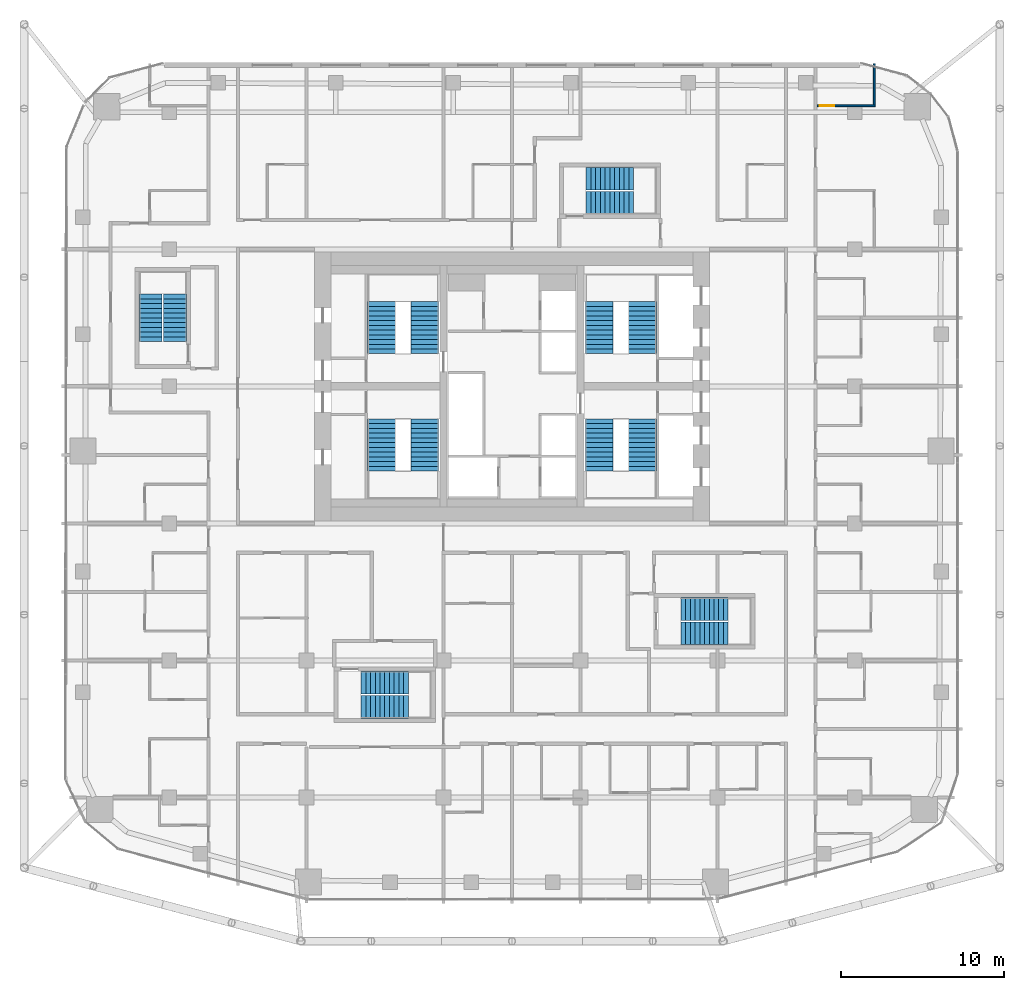
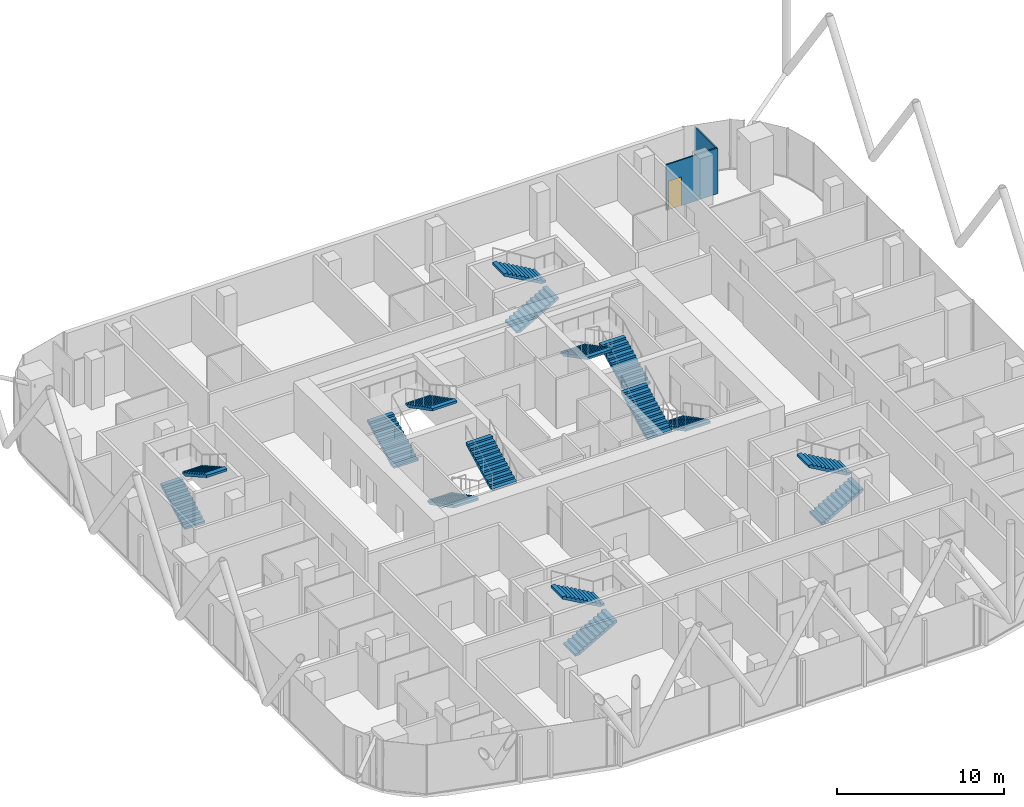
# One storey, part 31 of 33: 16 stair flights, 2 walls, 1 door, 1 opening, 8 elements without a shape of their own.
"""IFC4 building model written with IfcOpenShell, lengths in metres."""

from ifc_helpers import new_model, si_unit, direction, frame, frame_2d, origin, place, context, subcontext, project, spatial, polyline, rectangle, outline, extrude, material, layer, layer_set, type_object, element, fill, aggregate, save


model = new_model("IFC4")

# Units and contexts
model_context = context("Model", 3, precision=1e-05, world=origin(), true_north=direction((0.0, 1.0)))
body_context = subcontext(model_context, "Body", "Model", "MODEL_VIEW")
ifc_project = project(units=[si_unit("LENGTHUNIT", "METRE"), si_unit("AREAUNIT", "SQUARE_METRE"), si_unit("VOLUMEUNIT", "CUBIC_METRE"), si_unit("PLANEANGLEUNIT", "RADIAN"), si_unit("MASSUNIT", "GRAM", prefix="KILO")], contexts=[model_context])

# Site, building, storey
site_placement = place(None, origin())
site = spatial("IfcSite", under=ifc_project, at=site_placement, CompositionType="ELEMENT")
building_placement = place(site_placement, origin())
building = spatial("IfcBuilding", under=site, at=building_placement, Name="Marenta Gate Hotel Tower", CompositionType="ELEMENT")
storey_placement = place(building_placement, frame((0.0, 0.0, 137.300048828125)))
storey = spatial("IfcBuildingStorey", under=building, at=storey_placement, Name="L31", CompositionType="ELEMENT", Elevation=137.300048828125)

# Wall
ifc_material_1 = material(Name="Gypsum board on steel stud", Category="steel")
ifc_layer = layer(ifc_material_1, 0.10009765625)
ifc_layer_set = layer_set([ifc_layer], Name="Gypsum board on steel stud")
wall_type = type_object("IfcWallType", Name="Room partition 100", PredefinedType="PARTITIONING", material=ifc_layer_set)
wall_1_placement = place(storey_placement, frame((22.199951171875, 25.64990234375, 0.0), z_axis=(0.0, 0.0, 1.0), x_axis=(0.0, 1.0, 0.0)))
element("IfcWall", 1, at=wall_1_placement, inside=storey, type_object=wall_type, Name="L31-PTN-W002", PredefinedType="PARTITIONING", context=body_context, shape_type="SweptSolid", body=[
    extrude(rectangle(XDim=2.531982421875, YDim=0.10009765625, at=frame_2d((1.26611328125, 0.0))), origin(), (0.0, 0.0, 1.0), 3.33984375),
])

# Wall, opening, door
wall_2_placement = place(storey_placement, frame((18.699951171875, 25.60009765625, 0.0), z_axis=(0.0, 0.0, 1.0), x_axis=(1.0, 0.0, 0.0)))
wall_2 = element("IfcWall", 2, at=wall_2_placement, inside=storey, type_object=wall_type, Name="L31-PTN-W130", PredefinedType="PARTITIONING", context=body_context, shape_type="SweptSolid", body=[
    extrude(rectangle(XDim=3.550048828125, YDim=0.10009765625, at=frame_2d((1.77490234375, 0.0))), origin(), (0.0, 0.0, 1.0), 3.33984375),
])
opening_placement = place(wall_2_placement, frame((0.14990234375, 0.0, 0.0)))
opening = element("IfcOpeningElement", 3, at=opening_placement, cuts=wall_2, Name="Opening G12-28", PredefinedType="OPENING", context=body_context, shape_type="SweptSolid", body=[
    extrude(rectangle(XDim=0.89990234375, YDim=2.10009765625, at=frame_2d((0.449951171875, 1.050048828125))), frame((0.0, 0.050048828125, 0.0), z_axis=(0.0, -1.0, 0.0), x_axis=(1.0, 0.0, 0.0)), (0.0, 0.0, 1.0), 0.10009765625),
])
ifc_material_2 = material(Name="Timber door leaf", Category="wood")
door_type = type_object("IfcDoorType", Name="Room inner door 900x2100", OperationType="NOTDEFINED", PredefinedType="DOOR", material=ifc_material_2)
door_placement = place(opening_placement, origin())
door = element("IfcDoor", 4, at=door_placement, inside=storey, type_object=door_type, Name="L31-PD-D028", OperationType="SINGLE_SWING_LEFT", OverallHeight=2.10009765625, OverallWidth=0.89990234375, PredefinedType="DOOR", context=body_context, shape_type="SweptSolid", body=[
    extrude(rectangle(XDim=0.89990234375, YDim=2.10009765625, at=frame_2d((0.449951171875, 1.050048828125))), frame((0.0, 0.02490234375, 0.0), z_axis=(0.0, -1.0, 0.0), x_axis=(1.0, 0.0, 0.0)), (0.0, 0.0, 1.0), 0.050048828125),
])
fill(opening, door)

# Stair, stair flights
ifc_material_3 = material(Name="Concrete C40", Category="concrete")
stair_type_1 = type_object("IfcStairType", Name="Core exit stair 1700 wide", PredefinedType="HALF_TURN_STAIR", material=ifc_material_3)
stair_1_placement = place(storey_placement, origin())
stair_1 = element("IfcStair", 5, at=stair_1_placement, inside=storey, type_object=stair_type_1, Name="Exit stair 1", PredefinedType="HALF_TURN_STAIR")
ifc_material_4 = material(Name="Concrete C40", Category="concrete")
stair_flight_type_1 = type_object("IfcStairFlightType", Name="Core stair flight 1700 riser 150.0 going 290", PredefinedType="STRAIGHT", material=ifc_material_4)
stair_flight_1_placement = place(storey_placement, frame((-8.0, 6.39990234375, 0.0), z_axis=(0.0, 0.0, 1.0), x_axis=(0.0, -1.0, 0.0)))
stair_flight_1 = element("IfcStairFlight", 6, at=stair_flight_1_placement, type_object=stair_flight_type_1, Name="ST1 flight 1", NumberOfRisers=12, NumberOfTreads=11, PredefinedType="STRAIGHT", RiserHeight=0.15, TreadLength=0.29, context=body_context, shape_type="SweptSolid", body=[
    extrude(outline(polyline([(0.0, 0.0), (0.0, 0.14990234375), (0.2900390625, 0.14990234375), (0.2900390625, 0.300048828125), (0.580078125, 0.300048828125), (0.580078125, 0.449951171875), (0.8701171875, 0.449951171875), (0.8701171875, 0.60009765625), (1.159912109375, 0.60009765625), (1.159912109375, 0.75), (1.449951171875, 0.75), (1.449951171875, 0.89990234375), (1.739990234375, 0.89990234375), (1.739990234375, 1.050048828125), (2.030029296875, 1.050048828125), (2.030029296875, 1.199951171875), (2.320068359375, 1.199951171875), (2.320068359375, 1.35009765625), (2.610107421875, 1.35009765625), (2.610107421875, 1.5), (2.89990234375, 1.5), (2.89990234375, 1.64990234375), (3.18994140625, 1.64990234375), (3.18994140625, 1.800048828125), (3.18994140625, 1.481201171875), (0.326171875, 0.0), (0.0, 0.0)])), frame((0.0, 0.85009765625, 0.0), z_axis=(0.0, -1.0, 0.0), x_axis=(1.0, 0.0, 0.0)), (0.0, 0.0, 1.0), 1.699951171875),
])
stair_flight_2_placement = place(storey_placement, frame((-5.35009765625, 3.2099609375, 1.800048828125), z_axis=(0.0, 0.0, 1.0), x_axis=(0.0, 1.0, 0.0)))
stair_flight_2 = element("IfcStairFlight", 7, at=stair_flight_2_placement, type_object=stair_flight_type_1, Name="ST1 flight 2", NumberOfRisers=12, NumberOfTreads=11, PredefinedType="STRAIGHT", RiserHeight=0.15, TreadLength=0.29, context=body_context, shape_type="SweptSolid", body=[
    extrude(outline(polyline([(0.0, 0.0), (0.0, 0.14990234375), (0.2900390625, 0.14990234375), (0.2900390625, 0.300048828125), (0.580078125, 0.300048828125), (0.580078125, 0.449951171875), (0.8701171875, 0.449951171875), (0.8701171875, 0.60009765625), (1.159912109375, 0.60009765625), (1.159912109375, 0.75), (1.449951171875, 0.75), (1.449951171875, 0.89990234375), (1.739990234375, 0.89990234375), (1.739990234375, 1.050048828125), (2.030029296875, 1.050048828125), (2.030029296875, 1.199951171875), (2.320068359375, 1.199951171875), (2.320068359375, 1.35009765625), (2.610107421875, 1.35009765625), (2.610107421875, 1.5), (2.89990234375, 1.5), (2.89990234375, 1.64990234375), (3.18994140625, 1.64990234375), (3.18994140625, 1.800048828125), (3.18994140625, 1.481201171875), (0.326171875, 0.0), (0.0, 0.0)])), frame((0.0, 0.85009765625, 0.0), z_axis=(0.0, -1.0, 0.0), x_axis=(1.0, 0.0, 0.0)), (0.0, 0.0, 1.0), 1.699951171875),
])
aggregate(stair_1, [stair_flight_1, stair_flight_2])

stair_2_placement = place(storey_placement, origin())
stair_2 = element("IfcStair", 8, at=stair_2_placement, inside=storey, type_object=stair_type_1, Name="Exit stair 2", PredefinedType="HALF_TURN_STAIR")
stair_flight_3_placement = place(storey_placement, frame((-8.0, 10.39990234375, 0.0), z_axis=(0.0, 0.0, 1.0), x_axis=(0.0, 1.0, 0.0)))
stair_flight_3 = element("IfcStairFlight", 9, at=stair_flight_3_placement, type_object=stair_flight_type_1, Name="ST2 flight 1", NumberOfRisers=12, NumberOfTreads=11, PredefinedType="STRAIGHT", RiserHeight=0.15, TreadLength=0.29, context=body_context, shape_type="SweptSolid", body=[
    extrude(outline(polyline([(0.0, 0.0), (0.0, 0.14990234375), (0.2900390625, 0.14990234375), (0.2900390625, 0.300048828125), (0.580078125, 0.300048828125), (0.580078125, 0.449951171875), (0.8701171875, 0.449951171875), (0.8701171875, 0.60009765625), (1.159912109375, 0.60009765625), (1.159912109375, 0.75), (1.449951171875, 0.75), (1.449951171875, 0.89990234375), (1.739990234375, 0.89990234375), (1.739990234375, 1.050048828125), (2.030029296875, 1.050048828125), (2.030029296875, 1.199951171875), (2.320068359375, 1.199951171875), (2.320068359375, 1.35009765625), (2.610107421875, 1.35009765625), (2.610107421875, 1.5), (2.89990234375, 1.5), (2.89990234375, 1.64990234375), (3.18994140625, 1.64990234375), (3.18994140625, 1.800048828125), (3.18994140625, 1.481201171875), (0.326171875, 0.0), (0.0, 0.0)])), frame((0.0, 0.85009765625, 0.0), z_axis=(0.0, -1.0, 0.0), x_axis=(1.0, 0.0, 0.0)), (0.0, 0.0, 1.0), 1.699951171875),
])
stair_flight_4_placement = place(storey_placement, frame((-5.35009765625, 13.590087890625, 1.800048828125), z_axis=(0.0, 0.0, 1.0), x_axis=(0.0, -1.0, 0.0)))
stair_flight_4 = element("IfcStairFlight", 10, at=stair_flight_4_placement, type_object=stair_flight_type_1, Name="ST2 flight 2", NumberOfRisers=12, NumberOfTreads=11, PredefinedType="STRAIGHT", RiserHeight=0.15, TreadLength=0.29, context=body_context, shape_type="SweptSolid", body=[
    extrude(outline(polyline([(0.0, 0.0), (0.0, 0.14990234375), (0.2900390625, 0.14990234375), (0.2900390625, 0.300048828125), (0.580078125, 0.300048828125), (0.580078125, 0.449951171875), (0.8701171875, 0.449951171875), (0.8701171875, 0.60009765625), (1.159912109375, 0.60009765625), (1.159912109375, 0.75), (1.449951171875, 0.75), (1.449951171875, 0.89990234375), (1.739990234375, 0.89990234375), (1.739990234375, 1.050048828125), (2.030029296875, 1.050048828125), (2.030029296875, 1.199951171875), (2.320068359375, 1.199951171875), (2.320068359375, 1.35009765625), (2.610107421875, 1.35009765625), (2.610107421875, 1.5), (2.89990234375, 1.5), (2.89990234375, 1.64990234375), (3.18994140625, 1.64990234375), (3.18994140625, 1.800048828125), (3.18994140625, 1.481201171875), (0.326171875, 0.0), (0.0, 0.0)])), frame((0.0, 0.85009765625, 0.0), z_axis=(0.0, -1.0, 0.0), x_axis=(1.0, 0.0, 0.0)), (0.0, 0.0, 1.0), 1.699951171875),
])
aggregate(stair_2, [stair_flight_3, stair_flight_4])

stair_3_placement = place(storey_placement, origin())
stair_3 = element("IfcStair", 11, at=stair_3_placement, inside=storey, type_object=stair_type_1, Name="Exit stair 3", PredefinedType="HALF_TURN_STAIR")
stair_flight_5_placement = place(storey_placement, frame((8.0, 6.39990234375, 0.0), z_axis=(0.0, 0.0, 1.0), x_axis=(0.0, -1.0, 0.0)))
stair_flight_5 = element("IfcStairFlight", 12, at=stair_flight_5_placement, type_object=stair_flight_type_1, Name="ST3 flight 1", NumberOfRisers=12, NumberOfTreads=11, PredefinedType="STRAIGHT", RiserHeight=0.15, TreadLength=0.29, context=body_context, shape_type="SweptSolid", body=[
    extrude(outline(polyline([(0.0, 0.0), (0.0, 0.14990234375), (0.2900390625, 0.14990234375), (0.2900390625, 0.300048828125), (0.580078125, 0.300048828125), (0.580078125, 0.449951171875), (0.8701171875, 0.449951171875), (0.8701171875, 0.60009765625), (1.159912109375, 0.60009765625), (1.159912109375, 0.75), (1.449951171875, 0.75), (1.449951171875, 0.89990234375), (1.739990234375, 0.89990234375), (1.739990234375, 1.050048828125), (2.030029296875, 1.050048828125), (2.030029296875, 1.199951171875), (2.320068359375, 1.199951171875), (2.320068359375, 1.35009765625), (2.610107421875, 1.35009765625), (2.610107421875, 1.5), (2.89990234375, 1.5), (2.89990234375, 1.64990234375), (3.18994140625, 1.64990234375), (3.18994140625, 1.800048828125), (3.18994140625, 1.481201171875), (0.326171875, 0.0), (0.0, 0.0)])), frame((0.0, 0.85009765625, 0.0), z_axis=(0.0, -1.0, 0.0), x_axis=(1.0, 0.0, 0.0)), (0.0, 0.0, 1.0), 1.699951171875),
])
stair_flight_6_placement = place(storey_placement, frame((5.35009765625, 3.2099609375, 1.800048828125), z_axis=(0.0, 0.0, 1.0), x_axis=(0.0, 1.0, 0.0)))
stair_flight_6 = element("IfcStairFlight", 13, at=stair_flight_6_placement, type_object=stair_flight_type_1, Name="ST3 flight 2", NumberOfRisers=12, NumberOfTreads=11, PredefinedType="STRAIGHT", RiserHeight=0.15, TreadLength=0.29, context=body_context, shape_type="SweptSolid", body=[
    extrude(outline(polyline([(0.0, 0.0), (0.0, 0.14990234375), (0.2900390625, 0.14990234375), (0.2900390625, 0.300048828125), (0.580078125, 0.300048828125), (0.580078125, 0.449951171875), (0.8701171875, 0.449951171875), (0.8701171875, 0.60009765625), (1.159912109375, 0.60009765625), (1.159912109375, 0.75), (1.449951171875, 0.75), (1.449951171875, 0.89990234375), (1.739990234375, 0.89990234375), (1.739990234375, 1.050048828125), (2.030029296875, 1.050048828125), (2.030029296875, 1.199951171875), (2.320068359375, 1.199951171875), (2.320068359375, 1.35009765625), (2.610107421875, 1.35009765625), (2.610107421875, 1.5), (2.89990234375, 1.5), (2.89990234375, 1.64990234375), (3.18994140625, 1.64990234375), (3.18994140625, 1.800048828125), (3.18994140625, 1.481201171875), (0.326171875, 0.0), (0.0, 0.0)])), frame((0.0, 0.85009765625, 0.0), z_axis=(0.0, -1.0, 0.0), x_axis=(1.0, 0.0, 0.0)), (0.0, 0.0, 1.0), 1.699951171875),
])
aggregate(stair_3, [stair_flight_5, stair_flight_6])

stair_4_placement = place(storey_placement, origin())
stair_4 = element("IfcStair", 14, at=stair_4_placement, inside=storey, type_object=stair_type_1, Name="Exit stair 4", PredefinedType="HALF_TURN_STAIR")
stair_flight_7_placement = place(storey_placement, frame((8.0, 10.39990234375, 0.0), z_axis=(0.0, 0.0, 1.0), x_axis=(0.0, 1.0, 0.0)))
stair_flight_7 = element("IfcStairFlight", 15, at=stair_flight_7_placement, type_object=stair_flight_type_1, Name="ST4 flight 1", NumberOfRisers=12, NumberOfTreads=11, PredefinedType="STRAIGHT", RiserHeight=0.15, TreadLength=0.29, context=body_context, shape_type="SweptSolid", body=[
    extrude(outline(polyline([(0.0, 0.0), (0.0, 0.14990234375), (0.2900390625, 0.14990234375), (0.2900390625, 0.300048828125), (0.580078125, 0.300048828125), (0.580078125, 0.449951171875), (0.8701171875, 0.449951171875), (0.8701171875, 0.60009765625), (1.159912109375, 0.60009765625), (1.159912109375, 0.75), (1.449951171875, 0.75), (1.449951171875, 0.89990234375), (1.739990234375, 0.89990234375), (1.739990234375, 1.050048828125), (2.030029296875, 1.050048828125), (2.030029296875, 1.199951171875), (2.320068359375, 1.199951171875), (2.320068359375, 1.35009765625), (2.610107421875, 1.35009765625), (2.610107421875, 1.5), (2.89990234375, 1.5), (2.89990234375, 1.64990234375), (3.18994140625, 1.64990234375), (3.18994140625, 1.800048828125), (3.18994140625, 1.481201171875), (0.326171875, 0.0), (0.0, 0.0)])), frame((0.0, 0.85009765625, 0.0), z_axis=(0.0, -1.0, 0.0), x_axis=(1.0, 0.0, 0.0)), (0.0, 0.0, 1.0), 1.699951171875),
])
stair_flight_8_placement = place(storey_placement, frame((5.35009765625, 13.590087890625, 1.800048828125), z_axis=(0.0, 0.0, 1.0), x_axis=(0.0, -1.0, 0.0)))
stair_flight_8 = element("IfcStairFlight", 16, at=stair_flight_8_placement, type_object=stair_flight_type_1, Name="ST4 flight 2", NumberOfRisers=12, NumberOfTreads=11, PredefinedType="STRAIGHT", RiserHeight=0.15, TreadLength=0.29, context=body_context, shape_type="SweptSolid", body=[
    extrude(outline(polyline([(0.0, 0.0), (0.0, 0.14990234375), (0.2900390625, 0.14990234375), (0.2900390625, 0.300048828125), (0.580078125, 0.300048828125), (0.580078125, 0.449951171875), (0.8701171875, 0.449951171875), (0.8701171875, 0.60009765625), (1.159912109375, 0.60009765625), (1.159912109375, 0.75), (1.449951171875, 0.75), (1.449951171875, 0.89990234375), (1.739990234375, 0.89990234375), (1.739990234375, 1.050048828125), (2.030029296875, 1.050048828125), (2.030029296875, 1.199951171875), (2.320068359375, 1.199951171875), (2.320068359375, 1.35009765625), (2.610107421875, 1.35009765625), (2.610107421875, 1.5), (2.89990234375, 1.5), (2.89990234375, 1.64990234375), (3.18994140625, 1.64990234375), (3.18994140625, 1.800048828125), (3.18994140625, 1.481201171875), (0.326171875, 0.0), (0.0, 0.0)])), frame((0.0, 0.85009765625, 0.0), z_axis=(0.0, -1.0, 0.0), x_axis=(1.0, 0.0, 0.0)), (0.0, 0.0, 1.0), 1.699951171875),
])
aggregate(stair_4, [stair_flight_7, stair_flight_8])

ifc_material_5 = material(Name="Concrete C40", Category="concrete")
stair_type_2 = type_object("IfcStairType", Name="Remote exit stair 1400 wide", PredefinedType="HALF_TURN_STAIR", material=ifc_material_5)
stair_5_placement = place(storey_placement, origin())
stair_5 = element("IfcStair", 17, at=stair_5_placement, inside=storey, type_object=stair_type_2, Name="Exit stair RS-Z1-3", PredefinedType="HALF_TURN_STAIR")
ifc_material_6 = material(Name="Concrete C40", Category="concrete")
stair_flight_type_2 = type_object("IfcStairFlightType", Name="Remote stair flight 1400 riser 163.6 going 290", PredefinedType="STRAIGHT", material=ifc_material_6)
stair_flight_9_placement = place(storey_placement, frame((-22.14990234375, 11.14990234375, 0.0), z_axis=(0.0, 0.0, 1.0), x_axis=(0.0, 1.0, 0.0)))
stair_flight_9 = element("IfcStairFlight", 18, at=stair_flight_9_placement, type_object=stair_flight_type_2, Name="RS-Z1-3 flight 1", NumberOfRisers=11, NumberOfTreads=10, PredefinedType="STRAIGHT", RiserHeight=0.163636, TreadLength=0.29, context=body_context, shape_type="SweptSolid", body=[
    extrude(outline(polyline([(0.0, 0.0), (0.0, 0.16357421875), (0.2900390625, 0.16357421875), (0.2900390625, 0.327392578125), (0.580078125, 0.327392578125), (0.580078125, 0.490966796875), (0.8701171875, 0.490966796875), (0.8701171875, 0.654541015625), (1.159912109375, 0.654541015625), (1.159912109375, 0.818115234375), (1.449951171875, 0.818115234375), (1.449951171875, 0.98193359375), (1.739990234375, 0.98193359375), (1.739990234375, 1.1455078125), (2.030029296875, 1.1455078125), (2.030029296875, 1.30908203125), (2.320068359375, 1.30908203125), (2.320068359375, 1.47265625), (2.610107421875, 1.47265625), (2.610107421875, 1.636474609375), (2.89990234375, 1.636474609375), (2.89990234375, 1.800048828125), (2.89990234375, 1.46435546875), (0.304931640625, 0.0), (0.0, 0.0)])), frame((0.0, 0.699951171875, 0.0), z_axis=(0.0, -1.0, 0.0), x_axis=(1.0, 0.0, 0.0)), (0.0, 0.0, 1.0), 1.39990234375),
])
stair_flight_10_placement = place(storey_placement, frame((-20.64990234375, 14.050048828125, 1.800048828125), z_axis=(0.0, 0.0, 1.0), x_axis=(0.0, -1.0, 0.0)))
stair_flight_10 = element("IfcStairFlight", 19, at=stair_flight_10_placement, type_object=stair_flight_type_2, Name="RS-Z1-3 flight 2", NumberOfRisers=11, NumberOfTreads=10, PredefinedType="STRAIGHT", RiserHeight=0.163636, TreadLength=0.29, context=body_context, shape_type="SweptSolid", body=[
    extrude(outline(polyline([(0.0, 0.0), (0.0, 0.16357421875), (0.2900390625, 0.16357421875), (0.2900390625, 0.327392578125), (0.580078125, 0.327392578125), (0.580078125, 0.490966796875), (0.8701171875, 0.490966796875), (0.8701171875, 0.654541015625), (1.159912109375, 0.654541015625), (1.159912109375, 0.818115234375), (1.449951171875, 0.818115234375), (1.449951171875, 0.98193359375), (1.739990234375, 0.98193359375), (1.739990234375, 1.1455078125), (2.030029296875, 1.1455078125), (2.030029296875, 1.30908203125), (2.320068359375, 1.30908203125), (2.320068359375, 1.47265625), (2.610107421875, 1.47265625), (2.610107421875, 1.636474609375), (2.89990234375, 1.636474609375), (2.89990234375, 1.800048828125), (2.89990234375, 1.46435546875), (0.304931640625, 0.0), (0.0, 0.0)])), frame((0.0, 0.699951171875, 0.0), z_axis=(0.0, -1.0, 0.0), x_axis=(1.0, 0.0, 0.0)), (0.0, 0.0, 1.0), 1.39990234375),
])
aggregate(stair_5, [stair_flight_9, stair_flight_10])

stair_6_placement = place(storey_placement, origin())
stair_6 = element("IfcStair", 20, at=stair_6_placement, inside=storey, type_object=stair_type_2, Name="Exit stair RS-Z2-1", PredefinedType="HALF_TURN_STAIR")
stair_flight_11_placement = place(storey_placement, frame((-9.25, -11.25, 0.0), z_axis=(0.0, 0.0, 1.0), x_axis=(1.0, 0.0, 0.0)))
stair_flight_11 = element("IfcStairFlight", 21, at=stair_flight_11_placement, type_object=stair_flight_type_2, Name="RS-Z2-1 flight 1", NumberOfRisers=11, NumberOfTreads=10, PredefinedType="STRAIGHT", RiserHeight=0.163636, TreadLength=0.29, context=body_context, shape_type="SweptSolid", body=[
    extrude(outline(polyline([(0.0, 0.0), (0.0, 0.16357421875), (0.2900390625, 0.16357421875), (0.2900390625, 0.327392578125), (0.580078125, 0.327392578125), (0.580078125, 0.490966796875), (0.8701171875, 0.490966796875), (0.8701171875, 0.654541015625), (1.159912109375, 0.654541015625), (1.159912109375, 0.818115234375), (1.449951171875, 0.818115234375), (1.449951171875, 0.98193359375), (1.739990234375, 0.98193359375), (1.739990234375, 1.1455078125), (2.030029296875, 1.1455078125), (2.030029296875, 1.30908203125), (2.320068359375, 1.30908203125), (2.320068359375, 1.47265625), (2.610107421875, 1.47265625), (2.610107421875, 1.636474609375), (2.89990234375, 1.636474609375), (2.89990234375, 1.800048828125), (2.89990234375, 1.46435546875), (0.304931640625, 0.0), (0.0, 0.0)])), frame((0.0, 0.699951171875, 0.0), z_axis=(0.0, -1.0, 0.0), x_axis=(1.0, 0.0, 0.0)), (0.0, 0.0, 1.0), 1.39990234375),
])
stair_flight_12_placement = place(storey_placement, frame((-6.35009765625, -9.75, 1.800048828125), z_axis=(0.0, 0.0, 1.0), x_axis=(-1.0, 0.0, 0.0)))
stair_flight_12 = element("IfcStairFlight", 22, at=stair_flight_12_placement, type_object=stair_flight_type_2, Name="RS-Z2-1 flight 2", NumberOfRisers=11, NumberOfTreads=10, PredefinedType="STRAIGHT", RiserHeight=0.163636, TreadLength=0.29, context=body_context, shape_type="SweptSolid", body=[
    extrude(outline(polyline([(0.0, 0.0), (0.0, 0.16357421875), (0.2900390625, 0.16357421875), (0.2900390625, 0.327392578125), (0.580078125, 0.327392578125), (0.580078125, 0.490966796875), (0.8701171875, 0.490966796875), (0.8701171875, 0.654541015625), (1.159912109375, 0.654541015625), (1.159912109375, 0.818115234375), (1.449951171875, 0.818115234375), (1.449951171875, 0.98193359375), (1.739990234375, 0.98193359375), (1.739990234375, 1.1455078125), (2.030029296875, 1.1455078125), (2.030029296875, 1.30908203125), (2.320068359375, 1.30908203125), (2.320068359375, 1.47265625), (2.610107421875, 1.47265625), (2.610107421875, 1.636474609375), (2.89990234375, 1.636474609375), (2.89990234375, 1.800048828125), (2.89990234375, 1.46435546875), (0.304931640625, 0.0), (0.0, 0.0)])), frame((0.0, 0.699951171875, 0.0), z_axis=(0.0, -1.0, 0.0), x_axis=(1.0, 0.0, 0.0)), (0.0, 0.0, 1.0), 1.39990234375),
])
aggregate(stair_6, [stair_flight_11, stair_flight_12])

stair_7_placement = place(storey_placement, origin())
stair_7 = element("IfcStair", 23, at=stair_7_placement, inside=storey, type_object=stair_type_2, Name="Exit stair RS-Z2-2", PredefinedType="HALF_TURN_STAIR")
stair_flight_13_placement = place(storey_placement, frame((10.35009765625, -6.75, 0.0), z_axis=(0.0, 0.0, 1.0), x_axis=(1.0, 0.0, 0.0)))
stair_flight_13 = element("IfcStairFlight", 24, at=stair_flight_13_placement, type_object=stair_flight_type_2, Name="RS-Z2-2 flight 1", NumberOfRisers=11, NumberOfTreads=10, PredefinedType="STRAIGHT", RiserHeight=0.163636, TreadLength=0.29, context=body_context, shape_type="SweptSolid", body=[
    extrude(outline(polyline([(0.0, 0.0), (0.0, 0.16357421875), (0.2900390625, 0.16357421875), (0.2900390625, 0.327392578125), (0.580078125, 0.327392578125), (0.580078125, 0.490966796875), (0.8701171875, 0.490966796875), (0.8701171875, 0.654541015625), (1.159912109375, 0.654541015625), (1.159912109375, 0.818115234375), (1.449951171875, 0.818115234375), (1.449951171875, 0.98193359375), (1.739990234375, 0.98193359375), (1.739990234375, 1.1455078125), (2.030029296875, 1.1455078125), (2.030029296875, 1.30908203125), (2.320068359375, 1.30908203125), (2.320068359375, 1.47265625), (2.610107421875, 1.47265625), (2.610107421875, 1.636474609375), (2.89990234375, 1.636474609375), (2.89990234375, 1.800048828125), (2.89990234375, 1.46435546875), (0.304931640625, 0.0), (0.0, 0.0)])), frame((0.0, 0.699951171875, 0.0), z_axis=(0.0, -1.0, 0.0), x_axis=(1.0, 0.0, 0.0)), (0.0, 0.0, 1.0), 1.39990234375),
])
stair_flight_14_placement = place(storey_placement, frame((13.25, -5.25, 1.800048828125), z_axis=(0.0, 0.0, 1.0), x_axis=(-1.0, 0.0, 0.0)))
stair_flight_14 = element("IfcStairFlight", 25, at=stair_flight_14_placement, type_object=stair_flight_type_2, Name="RS-Z2-2 flight 2", NumberOfRisers=11, NumberOfTreads=10, PredefinedType="STRAIGHT", RiserHeight=0.163636, TreadLength=0.29, context=body_context, shape_type="SweptSolid", body=[
    extrude(outline(polyline([(0.0, 0.0), (0.0, 0.16357421875), (0.2900390625, 0.16357421875), (0.2900390625, 0.327392578125), (0.580078125, 0.327392578125), (0.580078125, 0.490966796875), (0.8701171875, 0.490966796875), (0.8701171875, 0.654541015625), (1.159912109375, 0.654541015625), (1.159912109375, 0.818115234375), (1.449951171875, 0.818115234375), (1.449951171875, 0.98193359375), (1.739990234375, 0.98193359375), (1.739990234375, 1.1455078125), (2.030029296875, 1.1455078125), (2.030029296875, 1.30908203125), (2.320068359375, 1.30908203125), (2.320068359375, 1.47265625), (2.610107421875, 1.47265625), (2.610107421875, 1.636474609375), (2.89990234375, 1.636474609375), (2.89990234375, 1.800048828125), (2.89990234375, 1.46435546875), (0.304931640625, 0.0), (0.0, 0.0)])), frame((0.0, 0.699951171875, 0.0), z_axis=(0.0, -1.0, 0.0), x_axis=(1.0, 0.0, 0.0)), (0.0, 0.0, 1.0), 1.39990234375),
])
aggregate(stair_7, [stair_flight_13, stair_flight_14])

stair_8_placement = place(storey_placement, origin())
stair_8 = element("IfcStair", 26, at=stair_8_placement, inside=storey, type_object=stair_type_2, Name="Exit stair RS-Z2-4", PredefinedType="HALF_TURN_STAIR")
stair_flight_15_placement = place(storey_placement, frame((4.550048828125, 19.64990234375, 0.0), z_axis=(0.0, 0.0, 1.0), x_axis=(1.0, 0.0, 0.0)))
stair_flight_15 = element("IfcStairFlight", 27, at=stair_flight_15_placement, type_object=stair_flight_type_2, Name="RS-Z2-4 flight 1", NumberOfRisers=11, NumberOfTreads=10, PredefinedType="STRAIGHT", RiserHeight=0.163636, TreadLength=0.29, context=body_context, shape_type="SweptSolid", body=[
    extrude(outline(polyline([(0.0, 0.0), (0.0, 0.16357421875), (0.2900390625, 0.16357421875), (0.2900390625, 0.327392578125), (0.580078125, 0.327392578125), (0.580078125, 0.490966796875), (0.8701171875, 0.490966796875), (0.8701171875, 0.654541015625), (1.159912109375, 0.654541015625), (1.159912109375, 0.818115234375), (1.449951171875, 0.818115234375), (1.449951171875, 0.98193359375), (1.739990234375, 0.98193359375), (1.739990234375, 1.1455078125), (2.030029296875, 1.1455078125), (2.030029296875, 1.30908203125), (2.320068359375, 1.30908203125), (2.320068359375, 1.47265625), (2.610107421875, 1.47265625), (2.610107421875, 1.636474609375), (2.89990234375, 1.636474609375), (2.89990234375, 1.800048828125), (2.89990234375, 1.46435546875), (0.304931640625, 0.0), (0.0, 0.0)])), frame((0.0, 0.699951171875, 0.0), z_axis=(0.0, -1.0, 0.0), x_axis=(1.0, 0.0, 0.0)), (0.0, 0.0, 1.0), 1.39990234375),
])
stair_flight_16_placement = place(storey_placement, frame((7.449951171875, 21.14990234375, 1.800048828125), z_axis=(0.0, 0.0, 1.0), x_axis=(-1.0, 0.0, 0.0)))
stair_flight_16 = element("IfcStairFlight", 28, at=stair_flight_16_placement, type_object=stair_flight_type_2, Name="RS-Z2-4 flight 2", NumberOfRisers=11, NumberOfTreads=10, PredefinedType="STRAIGHT", RiserHeight=0.163636, TreadLength=0.29, context=body_context, shape_type="SweptSolid", body=[
    extrude(outline(polyline([(0.0, 0.0), (0.0, 0.16357421875), (0.2900390625, 0.16357421875), (0.2900390625, 0.327392578125), (0.580078125, 0.327392578125), (0.580078125, 0.490966796875), (0.8701171875, 0.490966796875), (0.8701171875, 0.654541015625), (1.159912109375, 0.654541015625), (1.159912109375, 0.818115234375), (1.449951171875, 0.818115234375), (1.449951171875, 0.98193359375), (1.739990234375, 0.98193359375), (1.739990234375, 1.1455078125), (2.030029296875, 1.1455078125), (2.030029296875, 1.30908203125), (2.320068359375, 1.30908203125), (2.320068359375, 1.47265625), (2.610107421875, 1.47265625), (2.610107421875, 1.636474609375), (2.89990234375, 1.636474609375), (2.89990234375, 1.800048828125), (2.89990234375, 1.46435546875), (0.304931640625, 0.0), (0.0, 0.0)])), frame((0.0, 0.699951171875, 0.0), z_axis=(0.0, -1.0, 0.0), x_axis=(1.0, 0.0, 0.0)), (0.0, 0.0, 1.0), 1.39990234375),
])
aggregate(stair_8, [stair_flight_15, stair_flight_16])

save(model, "model.ifc")
